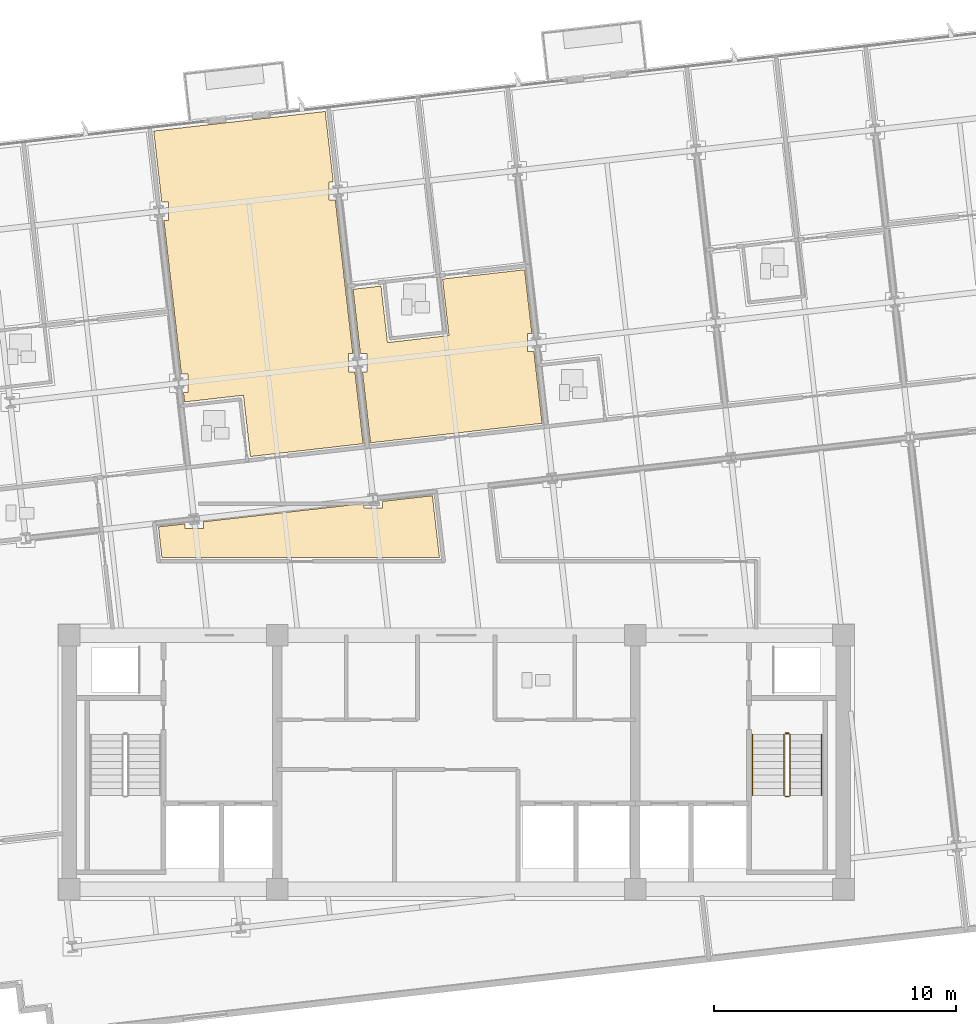
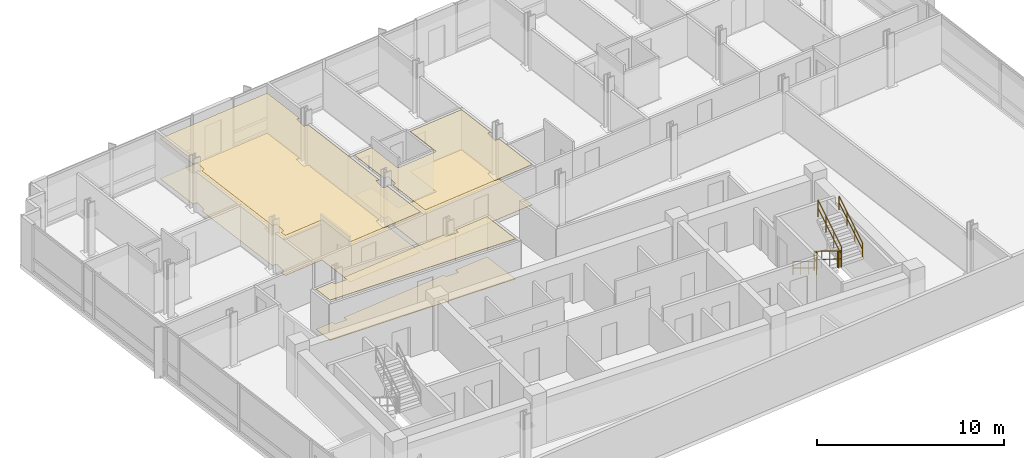
# One storey, part 14 of 17: 6 coverings, 6 railings.
"""IFC4 building model written with IfcOpenShell, lengths in metres."""

import ifcopenshell
import ifcopenshell.guid

model = None  # the IFC model being written
_history = None  # IfcOwnerHistory: only IFC2X3 demands one
_inside = {}  # id of a spatial element -> (the spatial element, [elements in it])
_under = {}  # id of a project, library or spatial element -> (it, [spatial elements below it])
_declared = {}  # id of a project -> (the project, [libraries it declares])
_typed = {}  # id of a type object -> (the type object, [elements of that type])
_made_of = {}  # id of a material, layer set ... -> (it, [elements and type objects made of it])


def new_model(schema):
    """Start an empty IFC model of exactly this schema.

    Asked for "IFC4X3", IfcOpenShell would pick the latest addendum, in which some entities
    have other attributes; the version numbers below select the first issue.
    IFC2X3 requires an IfcOwnerHistory on every rooted entity: one is made here for all.
    """
    global model, _history
    if schema == "IFC4X3":
        model = ifcopenshell.file(schema_version=(4, 3, 0, 0))
    else:
        model = ifcopenshell.file(schema=schema)
    _inside.clear()
    _under.clear()
    _declared.clear()
    _typed.clear()
    _made_of.clear()
    _history = None
    if model.schema == "IFC2X3":
        org = make("IfcOrganization", Name="unknown")
        user = make(
            "IfcPersonAndOrganization",
            ThePerson=make("IfcPerson", FamilyName="unknown"),
            TheOrganization=org,
        )
        app = make(
            "IfcApplication",
            ApplicationDeveloper=org,
            Version="unknown",
            ApplicationFullName="unknown",
            ApplicationIdentifier="unknown",
        )
        _history = make(
            "IfcOwnerHistory",
            OwningUser=user,
            OwningApplication=app,
            ChangeAction="ADDED",
            CreationDate=0,
        )
    return model


def make(cls, **values):
    """One entity of the class cls with the attributes given. An attribute that is None is left unset."""
    return model.create_entity(
        cls, **{name: value for name, value in values.items() if value is not None}
    )


def rooted(cls, **values):
    """An entity with a GlobalId (a new one), such as an element, a storey or a relation."""
    return make(cls, GlobalId=ifcopenshell.guid.new(), OwnerHistory=_history, **values)


def si_unit(unit_type, name, prefix=None):
    """IfcSIUnit, for example si_unit("LENGTHUNIT", "METRE", prefix="MILLI")."""
    return make("IfcSIUnit", UnitType=unit_type, Prefix=prefix, Name=name)


def assignment(units):
    """IfcUnitAssignment: the units of a project."""
    return None if units is None else make("IfcUnitAssignment", Units=units)


def point(xyz):
    """IfcCartesianPoint."""
    return None if xyz is None else make("IfcCartesianPoint", Coordinates=xyz)


def direction(xyz):
    """IfcDirection."""
    return None if xyz is None else make("IfcDirection", DirectionRatios=xyz)


def frame(location, z_axis=None, x_axis=None):
    """IfcAxis2Placement3D, a coordinate frame: its origin and axes. An axis left out is left unset."""
    return make(
        "IfcAxis2Placement3D",
        Location=point(location),
        Axis=direction(z_axis),
        RefDirection=direction(x_axis),
    )


def frame_2d(location, x_axis=None):
    """IfcAxis2Placement2D, a coordinate frame in the plane: its origin and x axis."""
    return make(
        "IfcAxis2Placement2D", Location=point(location), RefDirection=direction(x_axis)
    )


def origin():
    """The frame at (0, 0, 0) with its axes left unset."""
    return frame((0.0, 0.0, 0.0))


def origin_2d():
    """The frame at (0, 0) in the plane with its x axis left unset."""
    return frame_2d((0.0, 0.0))


def place(relative_to, where):
    """IfcLocalPlacement: puts the frame where relative to a parent placement (None: the world)."""
    return make(
        "IfcLocalPlacement", PlacementRelTo=relative_to, RelativePlacement=where
    )


def context(
    kind, dimensions, precision=None, world=None, true_north=None, identifier=None
):
    """IfcGeometricRepresentationContext, for example the 3D "Model" context."""
    return make(
        "IfcGeometricRepresentationContext",
        ContextIdentifier=identifier,
        ContextType=kind,
        CoordinateSpaceDimension=dimensions,
        Precision=precision,
        WorldCoordinateSystem=world,
        TrueNorth=true_north,
    )


def subcontext(parent, identifier, kind, view, scale=None):
    """IfcGeometricRepresentationSubContext, for example "Body" below "Model"."""
    return make(
        "IfcGeometricRepresentationSubContext",
        ContextIdentifier=identifier,
        ContextType=kind,
        ParentContext=parent,
        TargetScale=scale,
        TargetView=view,
    )


def project(units=None, contexts=None):
    """IfcProject with its units and contexts."""
    return rooted(
        "IfcProject",
        Name="project",
        RepresentationContexts=contexts,
        UnitsInContext=assignment(units),
    )


def spatial(cls, under=None, at=None, **own):
    """A site, building, storey or space (cls), placed at a placement, below another one or the project."""
    s = rooted(cls, ObjectPlacement=at, **own)
    if under is not None:
        _under.setdefault(under.id(), (under, []))[1].append(s)
    return s


def polyline(points):
    """IfcPolyline through the points."""
    return make("IfcPolyline", Points=[point(p) for p in points])


def profile(cls, at=None, kind="AREA", **sizes):
    """A parametric profile (cls). Its sizes go by their IFC names, for example OverallWidth=200.0."""
    return make(cls, ProfileType=kind, Position=at, **sizes)


def circle(**sizes):
    """IfcCircleProfileDef."""
    return profile("IfcCircleProfileDef", **sizes)


def outline(outer, holes=None, kind="AREA"):
    """IfcArbitraryClosedProfileDef: a profile drawn as a closed curve; with holes, ...WithVoids."""
    if holes is None:
        return make("IfcArbitraryClosedProfileDef", ProfileType=kind, OuterCurve=outer)
    return make(
        "IfcArbitraryProfileDefWithVoids",
        ProfileType=kind,
        OuterCurve=outer,
        InnerCurves=holes,
    )


def extrude(swept, where, along, depth):
    """IfcExtrudedAreaSolid: the profile swept, set in the frame where, extruded along a direction by depth."""
    return make(
        "IfcExtrudedAreaSolid",
        SweptArea=swept,
        Position=where,
        ExtrudedDirection=direction(along),
        Depth=depth,
    )


def shape(context_of_items, identifier, shape_type, items):
    """IfcShapeRepresentation: the items that make up one representation, for example the "Body"."""
    return make(
        "IfcShapeRepresentation",
        ContextOfItems=context_of_items,
        RepresentationIdentifier=identifier,
        RepresentationType=shape_type,
        Items=items,
    )


def material(Name=None, Category=None):
    """IfcMaterial."""
    return make("IfcMaterial", Name=Name, Category=Category)


def layer(
    of_material, thickness, ventilated=None, Name=None, Category=None, Priority=None
):
    """IfcMaterialLayer: one layer of a wall or slab, of a material (None: an air gap)."""
    return make(
        "IfcMaterialLayer",
        Material=of_material,
        LayerThickness=thickness,
        IsVentilated=ventilated,
        Name=Name,
        Category=Category,
        Priority=Priority,
    )


def layer_set(layers, Name=None):
    """IfcMaterialLayerSet."""
    return make("IfcMaterialLayerSet", MaterialLayers=layers, LayerSetName=Name)


def made_of(thing, what):
    """Note that an element or type object is made of a material, layer set ...; save() writes the relation."""
    if what is not None:
        _made_of.setdefault(what.id(), (what, []))[1].append(thing)
    return thing


def type_object(cls, material=None, **own):
    """A type object (cls), such as IfcWallType, which elements share."""
    return made_of(rooted(cls, **own), material)


def element(
    cls,
    number,
    at=None,
    inside=None,
    cuts=None,
    type_object=None,
    material=None,
    context=None,
    identifier="Body",
    shape_type=None,
    held_by="IfcProductDefinitionShape",
    body=None,
    shapes=None,
    **own,
):
    """One element of the class cls, such as IfcWall. Its Tag is "e" and its number.

    at: its placement. inside: the storey or other place that contains it. cuts: it is an
    opening in that element (IfcRelVoidsElement). A single representation is given by context,
    identifier, shape_type and body (its items); several are given by shapes. held_by: the class
    of the entity that holds the representations. save() writes the other relations.
    """
    e = rooted(cls, Tag="e%d" % number, ObjectPlacement=at, **own)
    if body is not None:
        shapes = [shape(context, identifier, shape_type, body)]
    if shapes is not None:
        e.Representation = make(held_by, Representations=shapes)
    if inside is not None:
        _inside.setdefault(inside.id(), (inside, []))[1].append(e)
    if cuts is not None:
        rooted(
            "IfcRelVoidsElement", RelatingBuildingElement=cuts, RelatedOpeningElement=e
        )
    if type_object is not None:
        _typed.setdefault(type_object.id(), (type_object, []))[1].append(e)
    return made_of(e, material)


def aggregate(whole, parts):
    """IfcRelAggregates: a whole, such as a stair, and the parts it consists of."""
    return rooted("IfcRelAggregates", RelatingObject=whole, RelatedObjects=parts)


def save(model, path):
    """Write the relations noted so far, then the file.

    IfcRelAggregates (storeys below a building ...), IfcRelContainedInSpatialStructure (elements
    in a storey), IfcRelDefinesByType, IfcRelAssociatesMaterial and IfcRelDeclares: one each for
    every whole, place, type object, material and project.
    """
    for whole, parts in _under.values():
        aggregate(whole, parts)
    for where, things in _inside.values():
        rooted(
            "IfcRelContainedInSpatialStructure",
            RelatedElements=things,
            RelatingStructure=where,
        )
    for kind, things in _typed.values():
        rooted("IfcRelDefinesByType", RelatedObjects=things, RelatingType=kind)
    for what, things in _made_of.values():
        rooted("IfcRelAssociatesMaterial", RelatedObjects=things, RelatingMaterial=what)
    for by, libraries in _declared.values():
        rooted("IfcRelDeclares", RelatingContext=by, RelatedDefinitions=libraries)
    model.write(path)


model = new_model("IFC4")

# Units and contexts
model_context = context("Model", 3, precision=1e-05, world=origin(), true_north=direction((0.0, 1.0)))
body_context = subcontext(model_context, "Body", "Model", "MODEL_VIEW")
ifc_project = project(units=[si_unit("LENGTHUNIT", "METRE"), si_unit("AREAUNIT", "SQUARE_METRE"), si_unit("VOLUMEUNIT", "CUBIC_METRE"), si_unit("PLANEANGLEUNIT", "RADIAN"), si_unit("MASSUNIT", "GRAM", prefix="KILO")], contexts=[model_context])

# Site, building, storey
site_placement = place(None, origin())
site = spatial("IfcSite", under=ifc_project, at=site_placement, CompositionType="ELEMENT")
building_placement = place(site_placement, origin())
building = spatial("IfcBuilding", under=site, at=building_placement, Name="Solmavex Isthmus Hotel", CompositionType="ELEMENT")
storey_placement = place(building_placement, frame((0.0, 0.0, 195.14990234375)))
storey = spatial("IfcBuildingStorey", under=building, at=storey_placement, Name="L52", CompositionType="ELEMENT", Elevation=195.14990234375)

# Coverings
ifc_material_1 = material(Name="Gypsum plasterboard lining", Category="gypsum")
ifc_layer_1 = layer(ifc_material_1, 0.030029296875)
ifc_layer_set_1 = layer_set([ifc_layer_1], Name="Gypsum plasterboard lining")
covering_type_1 = type_object("IfcCoveringType", Name="COV-CEIL-GYP", PredefinedType="CEILING", material=ifc_layer_set_1)
covering_1_placement = place(storey_placement, frame((0.0, 0.0, 2.6201171875)))
element("IfcCovering", 1, at=covering_1_placement, inside=storey, type_object=covering_type_1, Name="Suspended Acoustic Ceiling L52-RM02", PredefinedType="CEILING", context=body_context, shape_type="SweptSolid", body=[
    extrude(outline(polyline([(-11.360595703125, 8.29248046875), (-11.09326171875, 8.29248046875), (-11.09326171875, 7.532470703125), (-11.274169921875, 7.532470703125), (-11.2294921875, 7.14208984375), (-8.79541015625, 7.41943359375), (-8.506591796875, 4.8857421875), (-3.850830078125, 5.416259765625), (-4.18798828125, 8.375244140625), (-4.455322265625, 8.375244140625), (-4.455322265625, 9.13525390625), (-4.2744140625, 9.13525390625), (-4.99755859375, 15.481201171875), (-5.264892578125, 15.481201171875), (-5.264892578125, 16.2412109375), (-5.084228515625, 16.2412109375), (-5.415283203125, 19.1474609375), (-12.50537109375, 18.339599609375), (-12.17041015625, 15.3984375), (-11.903076171875, 15.3984375), (-11.903076171875, 14.638427734375), (-12.083740234375, 14.638427734375), (-11.763916015625, 11.832275390625), (-11.360595703125, 8.29248046875)])), origin(), (0.0, 0.0, 1.0), 0.030029296875),
])
covering_2_placement = place(storey_placement, frame((0.0, 0.0, 2.6201171875)))
element("IfcCovering", 2, at=covering_2_placement, inside=storey, type_object=covering_type_1, Name="Suspended Acoustic Ceiling L52-ST03-FY", PredefinedType="CEILING", context=body_context, shape_type="SweptSolid", body=[
    extrude(outline(polyline([(3.210205078125, 9.21826171875), (2.94287109375, 9.21826171875), (2.94287109375, 9.978271484375), (3.12353515625, 9.978271484375), (2.82421875, 12.60595703125), (-0.56689453125, 12.2197265625), (-0.30078125, 9.884765625), (-2.844482421875, 9.594970703125), (-3.1103515625, 11.929931640625), (-4.265869140625, 11.79833984375), (-3.962646484375, 9.13525390625), (-3.6953125, 9.13525390625), (-3.6953125, 8.375244140625), (-3.8759765625, 8.375244140625), (-3.542724609375, 5.451416015625), (3.54736328125, 6.259033203125), (3.210205078125, 9.21826171875)])), origin(), (0.0, 0.0, 1.0), 0.030029296875),
])
covering_3_placement = place(storey_placement, frame((0.0, 0.0, 2.6201171875)))
element("IfcCovering", 3, at=covering_3_placement, inside=storey, type_object=covering_type_1, Name="Suspended Acoustic Ceiling L52-FL09", PredefinedType="CEILING", context=body_context, shape_type="SweptSolid", body=[
    extrude(outline(polyline([(-10.4541015625, 2.18798828125), (-10.4541015625, 1.920654296875), (-11.214111328125, 1.920654296875), (-11.214111328125, 2.101318359375), (-12.309814453125, 1.9765625), (-12.1650390625, 0.705078125), (-0.694091796875, 0.705078125), (-0.986083984375, 3.2666015625), (-3.055908203125, 3.03076171875), (-3.055908203125, 2.763671875), (-3.81591796875, 2.763671875), (-3.81591796875, 2.9443359375), (-10.4541015625, 2.18798828125)])), origin(), (0.0, 0.0, 1.0), 0.030029296875),
])
ifc_material_2 = material(Name="Travertine natural stone", Category="masonry")
ifc_layer_2 = layer(ifc_material_2, 0.02490234375)
ifc_layer_set_2 = layer_set([ifc_layer_2], Name="Travertine natural stone")
covering_type_2 = type_object("IfcCoveringType", Name="COV-FLOR-STN", PredefinedType="FLOORING", material=ifc_layer_set_2)
covering_4_placement = place(storey_placement, origin())
element("IfcCovering", 4, at=covering_4_placement, inside=storey, type_object=covering_type_2, Name="Stone and Timber Floor Finish L52-RM02", PredefinedType="FLOORING", context=body_context, shape_type="SweptSolid", body=[
    extrude(outline(polyline([(-11.360595703125, 8.29248046875), (-11.09326171875, 8.29248046875), (-11.09326171875, 7.532470703125), (-11.274169921875, 7.532470703125), (-11.2294921875, 7.14208984375), (-8.79541015625, 7.41943359375), (-8.506591796875, 4.8857421875), (-3.850830078125, 5.416259765625), (-4.18798828125, 8.375244140625), (-4.455322265625, 8.375244140625), (-4.455322265625, 9.13525390625), (-4.2744140625, 9.13525390625), (-4.99755859375, 15.481201171875), (-5.264892578125, 15.481201171875), (-5.264892578125, 16.2412109375), (-5.084228515625, 16.2412109375), (-5.415283203125, 19.1474609375), (-12.50537109375, 18.339599609375), (-12.17041015625, 15.3984375), (-11.903076171875, 15.3984375), (-11.903076171875, 14.638427734375), (-12.083740234375, 14.638427734375), (-11.763916015625, 11.832275390625), (-11.360595703125, 8.29248046875)])), origin(), (0.0, 0.0, 1.0), 0.025146484375),
])
covering_5_placement = place(storey_placement, origin())
element("IfcCovering", 5, at=covering_5_placement, inside=storey, type_object=covering_type_2, Name="Stone and Timber Floor Finish L52-ST03-FY", PredefinedType="FLOORING", context=body_context, shape_type="SweptSolid", body=[
    extrude(outline(polyline([(3.210205078125, 9.21826171875), (2.94287109375, 9.21826171875), (2.94287109375, 9.978271484375), (3.12353515625, 9.978271484375), (2.82421875, 12.60595703125), (-0.56689453125, 12.2197265625), (-0.30078125, 9.884765625), (-2.844482421875, 9.594970703125), (-3.1103515625, 11.929931640625), (-4.265869140625, 11.79833984375), (-3.962646484375, 9.13525390625), (-3.6953125, 9.13525390625), (-3.6953125, 8.375244140625), (-3.8759765625, 8.375244140625), (-3.542724609375, 5.451416015625), (3.54736328125, 6.259033203125), (3.210205078125, 9.21826171875)])), origin(), (0.0, 0.0, 1.0), 0.025146484375),
])
covering_6_placement = place(storey_placement, origin())
element("IfcCovering", 6, at=covering_6_placement, inside=storey, type_object=covering_type_2, Name="Stone and Timber Floor Finish L52-FL09", PredefinedType="FLOORING", context=body_context, shape_type="SweptSolid", body=[
    extrude(outline(polyline([(-10.4541015625, 2.18798828125), (-10.4541015625, 1.920654296875), (-11.214111328125, 1.920654296875), (-11.214111328125, 2.101318359375), (-12.309814453125, 1.9765625), (-12.1650390625, 0.705078125), (-0.694091796875, 0.705078125), (-0.986083984375, 3.2666015625), (-3.055908203125, 3.03076171875), (-3.055908203125, 2.763671875), (-3.81591796875, 2.763671875), (-3.81591796875, 2.9443359375), (-10.4541015625, 2.18798828125)])), origin(), (0.0, 0.0, 1.0), 0.025146484375),
])

# Railings
ifc_material_3 = material(Name="Stainless steel 316", Category="steel")
ifc_layer_3 = layer(ifc_material_3, 0.06005859375)
ifc_layer_set_3 = layer_set([ifc_layer_3], Name="Stainless steel 316")
railing_type_1 = type_object("IfcRailingType", Name="RAIL-STAIR-GD", PredefinedType="GUARDRAIL", material=ifc_layer_set_3)
railing_1_placement = place(storey_placement, frame((13.550048828125, -6.60009765625, 0.172607421875)))
element("IfcRailing", 7, at=railing_1_placement, inside=storey, type_object=railing_type_1, Name="L52 ST-2 stair guard 1", PredefinedType="GUARDRAIL", context=body_context, shape_type="SweptSolid", body=[
    extrude(circle(Radius=0.02392578125, at=origin_2d()), frame((0.0, 0.0, 1.09619140625), z_axis=(0.0, -0.851400495292, 0.524516154772), x_axis=(1.0, 0.0, 0.0)), (0.0, 0.0, 1.0), 2.9599609375),
    extrude(circle(Radius=0.02392578125, at=origin_2d()), frame((0.0, 0.0, 0.56005859375), z_axis=(0.0, -0.851400495292, 0.524516154772), x_axis=(1.0, 0.0, 0.0)), (0.0, 0.0, 1.0), 2.9599609375),
    extrude(circle(Radius=0.02099609375, at=origin_2d()), origin(), (0.0, 0.0, 1.0), 1.072021484375),
    extrude(circle(Radius=0.02099609375, at=origin_2d()), frame((0.0, -0.840087890625, 0.517578125)), (0.0, 0.0, 1.0), 1.072021484375),
    extrude(circle(Radius=0.02099609375, at=origin_2d()), frame((0.0, -1.679931640625, 1.034912109375)), (0.0, 0.0, 1.0), 1.072021484375),
    extrude(circle(Radius=0.02099609375, at=origin_2d()), frame((0.0, -2.52001953125, 1.552490234375)), (0.0, 0.0, 1.0), 1.072021484375),
])
railing_2_placement = place(storey_placement, frame((13.60009765625, -9.169921875, 1.72509765625)))
element("IfcRailing", 8, at=railing_2_placement, inside=storey, type_object=railing_type_1, Name="L52 ST-2 stair guard 2", PredefinedType="GUARDRAIL", context=body_context, shape_type="SweptSolid", body=[
    extrude(circle(Radius=0.02392578125, at=origin_2d()), frame((0.0, 0.0, 1.09619140625), z_axis=(1.0, 0.0, 0.0), x_axis=(0.0, 1.0, 0.0)), (0.0, 0.0, 1.0), 0.14990234375),
    extrude(circle(Radius=0.02392578125, at=origin_2d()), frame((0.0, 0.0, 0.56005859375), z_axis=(1.0, 0.0, 0.0), x_axis=(0.0, 1.0, 0.0)), (0.0, 0.0, 1.0), 0.14990234375),
    extrude(circle(Radius=0.02099609375, at=origin_2d()), origin(), (0.0, 0.0, 1.0), 1.072021484375),
    extrude(circle(Radius=0.02099609375, at=origin_2d()), frame((0.14990234375, 0.0, 0.0)), (0.0, 0.0, 1.0), 1.072021484375),
])
railing_3_placement = place(storey_placement, frame((13.800048828125, -9.1201171875, 1.897705078125)))
element("IfcRailing", 9, at=railing_3_placement, inside=storey, type_object=railing_type_1, Name="L52 ST-2 stair guard 3", PredefinedType="GUARDRAIL", context=body_context, shape_type="SweptSolid", body=[
    extrude(circle(Radius=0.02392578125, at=origin_2d()), frame((0.0, 0.0, 1.09619140625), z_axis=(0.0, 0.851400495292, 0.524516154772), x_axis=(-1.0, 0.0, 0.0)), (0.0, 0.0, 1.0), 2.9599609375),
    extrude(circle(Radius=0.02392578125, at=origin_2d()), frame((0.0, 0.0, 0.56005859375), z_axis=(0.0, 0.851400495292, 0.524516154772), x_axis=(-1.0, 0.0, 0.0)), (0.0, 0.0, 1.0), 2.9599609375),
    extrude(circle(Radius=0.02099609375, at=origin_2d()), origin(), (0.0, 0.0, 1.0), 1.072021484375),
    extrude(circle(Radius=0.02099609375, at=origin_2d()), frame((0.0, 0.840087890625, 0.517578125)), (0.0, 0.0, 1.0), 1.072021484375),
    extrude(circle(Radius=0.02099609375, at=origin_2d()), frame((0.0, 1.679931640625, 1.034912109375)), (0.0, 0.0, 1.0), 1.072021484375),
    extrude(circle(Radius=0.02099609375, at=origin_2d()), frame((0.0, 2.52001953125, 1.552490234375)), (0.0, 0.0, 1.0), 1.072021484375),
])
railing_4_placement = place(storey_placement, frame((13.60009765625, -6.550048828125, 0.0)))
element("IfcRailing", 10, at=railing_4_placement, inside=storey, type_object=railing_type_1, Name="L52 ST-2 stair guard 4", PredefinedType="GUARDRAIL", context=body_context, shape_type="SweptSolid", body=[
    extrude(circle(Radius=0.02392578125, at=origin_2d()), frame((0.0, 0.0, 1.09619140625), z_axis=(1.0, 0.0, 0.0), x_axis=(0.0, 1.0, 0.0)), (0.0, 0.0, 1.0), 0.14990234375),
    extrude(circle(Radius=0.02392578125, at=origin_2d()), frame((0.0, 0.0, 0.56005859375), z_axis=(1.0, 0.0, 0.0), x_axis=(0.0, 1.0, 0.0)), (0.0, 0.0, 1.0), 0.14990234375),
    extrude(circle(Radius=0.02099609375, at=origin_2d()), origin(), (0.0, 0.0, 1.0), 1.072021484375),
    extrude(circle(Radius=0.02099609375, at=origin_2d()), frame((0.14990234375, 0.0, 0.0)), (0.0, 0.0, 1.0), 1.072021484375),
])
ifc_layer_4 = layer(ifc_material_3, 0.050048828125)
ifc_layer_set_4 = layer_set([ifc_layer_4], Name="Stainless steel 316")
railing_type_2 = type_object("IfcRailingType", Name="RAIL-STAIR-HR", PredefinedType="HANDRAIL", material=ifc_layer_set_4)
railing_5_placement = place(storey_placement, frame((12.25, -6.60009765625, 0.172607421875)))
element("IfcRailing", 11, at=railing_5_placement, inside=storey, type_object=railing_type_2, Name="L52 ST-2 stair handrail 1", PredefinedType="HANDRAIL", context=body_context, shape_type="SweptSolid", body=[
    extrude(circle(Radius=0.02392578125, at=origin_2d()), frame((0.0, 0.0, 0.8759765625), z_axis=(0.0, -0.851400495292, 0.524516154772), x_axis=(1.0, 0.0, 0.0)), (0.0, 0.0, 1.0), 2.9599609375),
    extrude(circle(Radius=0.02392578125, at=origin_2d()), frame((0.0, 0.0, 0.449951171875), z_axis=(0.0, -0.851400495292, 0.524516154772), x_axis=(1.0, 0.0, 0.0)), (0.0, 0.0, 1.0), 2.9599609375),
    extrude(circle(Radius=0.02099609375, at=origin_2d()), origin(), (0.0, 0.0, 1.0), 0.851806640625),
    extrude(circle(Radius=0.02099609375, at=origin_2d()), frame((0.0, -0.840087890625, 0.517578125)), (0.0, 0.0, 1.0), 0.851806640625),
    extrude(circle(Radius=0.02099609375, at=origin_2d()), frame((0.0, -1.679931640625, 1.034912109375)), (0.0, 0.0, 1.0), 0.851806640625),
    extrude(circle(Radius=0.02099609375, at=origin_2d()), frame((0.0, -2.52001953125, 1.552490234375)), (0.0, 0.0, 1.0), 0.851806640625),
])
railing_6_placement = place(storey_placement, frame((15.10009765625, -9.1201171875, 1.897705078125)))
element("IfcRailing", 12, at=railing_6_placement, inside=storey, type_object=railing_type_2, Name="L52 ST-2 stair handrail 2", PredefinedType="HANDRAIL", context=body_context, shape_type="SweptSolid", body=[
    extrude(circle(Radius=0.02392578125, at=origin_2d()), frame((0.0, 0.0, 0.8759765625), z_axis=(0.0, 0.851400495292, 0.524516154772), x_axis=(-1.0, 0.0, 0.0)), (0.0, 0.0, 1.0), 2.9599609375),
    extrude(circle(Radius=0.02392578125, at=origin_2d()), frame((0.0, 0.0, 0.449951171875), z_axis=(0.0, 0.851400495292, 0.524516154772), x_axis=(-1.0, 0.0, 0.0)), (0.0, 0.0, 1.0), 2.9599609375),
    extrude(circle(Radius=0.02099609375, at=origin_2d()), origin(), (0.0, 0.0, 1.0), 0.851806640625),
    extrude(circle(Radius=0.02099609375, at=origin_2d()), frame((0.0, 0.840087890625, 0.517578125)), (0.0, 0.0, 1.0), 0.851806640625),
    extrude(circle(Radius=0.02099609375, at=origin_2d()), frame((0.0, 1.679931640625, 1.034912109375)), (0.0, 0.0, 1.0), 0.851806640625),
    extrude(circle(Radius=0.02099609375, at=origin_2d()), frame((0.0, 2.52001953125, 1.552490234375)), (0.0, 0.0, 1.0), 0.851806640625),
])

save(model, "model.ifc")
